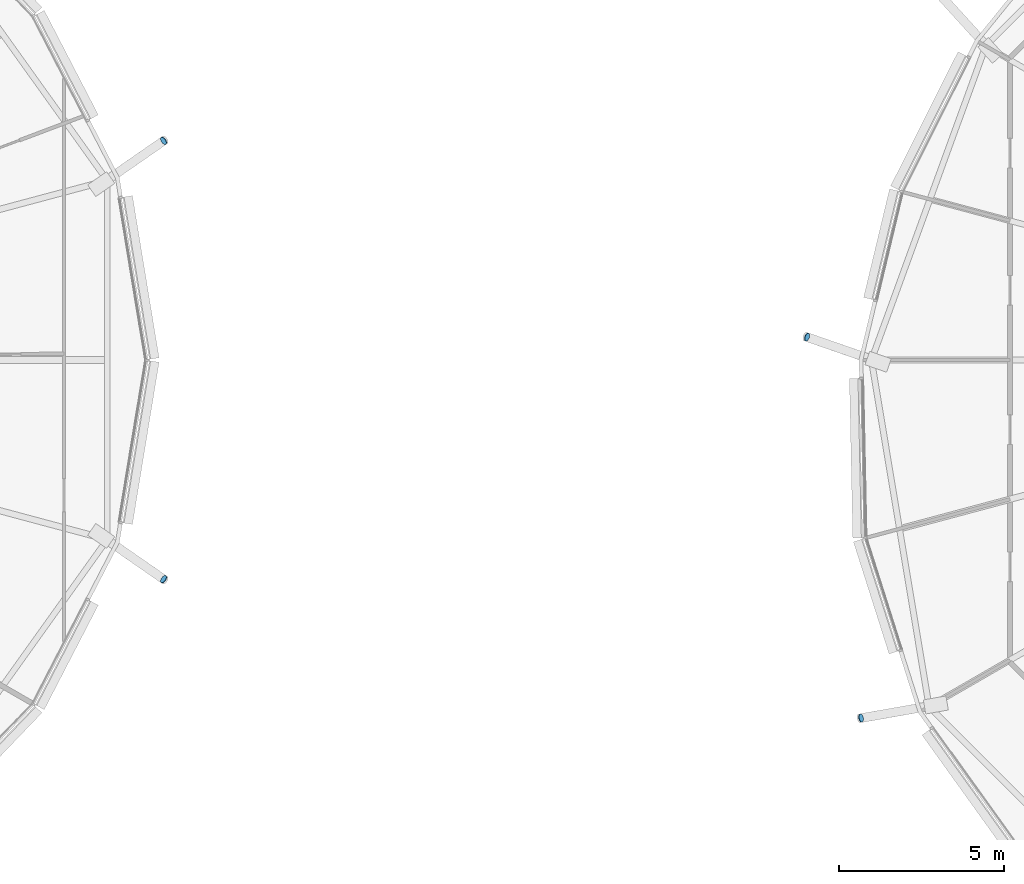
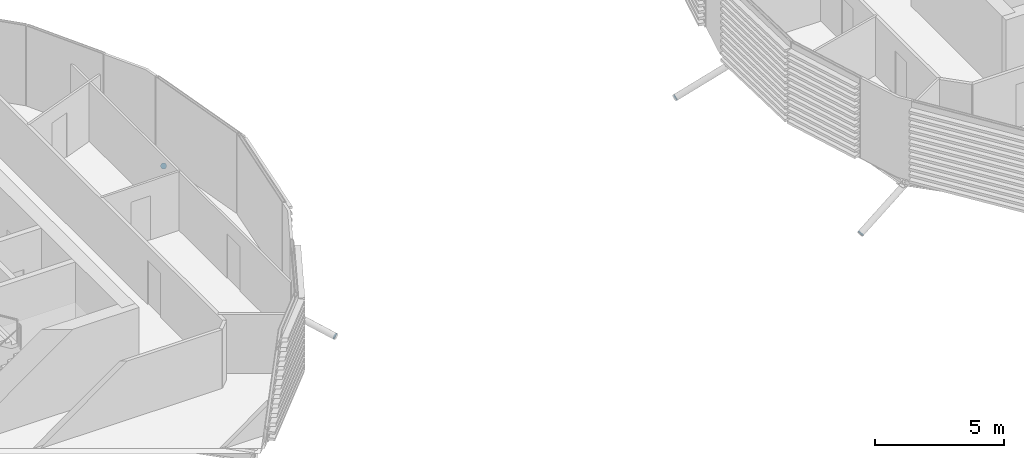
# One storey, part 26 of 35: 4 discrete accessories.
"""IFC4 building model written with IfcOpenShell, lengths in metres."""

import ifcopenshell
import ifcopenshell.guid

model = None  # the IFC model being written
_history = None  # IfcOwnerHistory: only IFC2X3 demands one
_inside = {}  # id of a spatial element -> (the spatial element, [elements in it])
_under = {}  # id of a project, library or spatial element -> (it, [spatial elements below it])
_declared = {}  # id of a project -> (the project, [libraries it declares])
_typed = {}  # id of a type object -> (the type object, [elements of that type])
_made_of = {}  # id of a material, layer set ... -> (it, [elements and type objects made of it])


def new_model(schema):
    """Start an empty IFC model of exactly this schema.

    Asked for "IFC4X3", IfcOpenShell would pick the latest addendum, in which some entities
    have other attributes; the version numbers below select the first issue.
    IFC2X3 requires an IfcOwnerHistory on every rooted entity: one is made here for all.
    """
    global model, _history
    if schema == "IFC4X3":
        model = ifcopenshell.file(schema_version=(4, 3, 0, 0))
    else:
        model = ifcopenshell.file(schema=schema)
    _inside.clear()
    _under.clear()
    _declared.clear()
    _typed.clear()
    _made_of.clear()
    _history = None
    if model.schema == "IFC2X3":
        org = make("IfcOrganization", Name="unknown")
        user = make(
            "IfcPersonAndOrganization",
            ThePerson=make("IfcPerson", FamilyName="unknown"),
            TheOrganization=org,
        )
        app = make(
            "IfcApplication",
            ApplicationDeveloper=org,
            Version="unknown",
            ApplicationFullName="unknown",
            ApplicationIdentifier="unknown",
        )
        _history = make(
            "IfcOwnerHistory",
            OwningUser=user,
            OwningApplication=app,
            ChangeAction="ADDED",
            CreationDate=0,
        )
    return model


def make(cls, **values):
    """One entity of the class cls with the attributes given. An attribute that is None is left unset."""
    return model.create_entity(
        cls, **{name: value for name, value in values.items() if value is not None}
    )


def rooted(cls, **values):
    """An entity with a GlobalId (a new one), such as an element, a storey or a relation."""
    return make(cls, GlobalId=ifcopenshell.guid.new(), OwnerHistory=_history, **values)


def si_unit(unit_type, name, prefix=None):
    """IfcSIUnit, for example si_unit("LENGTHUNIT", "METRE", prefix="MILLI")."""
    return make("IfcSIUnit", UnitType=unit_type, Prefix=prefix, Name=name)


def assignment(units):
    """IfcUnitAssignment: the units of a project."""
    return None if units is None else make("IfcUnitAssignment", Units=units)


def point(xyz):
    """IfcCartesianPoint."""
    return None if xyz is None else make("IfcCartesianPoint", Coordinates=xyz)


def direction(xyz):
    """IfcDirection."""
    return None if xyz is None else make("IfcDirection", DirectionRatios=xyz)


def frame(location, z_axis=None, x_axis=None):
    """IfcAxis2Placement3D, a coordinate frame: its origin and axes. An axis left out is left unset."""
    return make(
        "IfcAxis2Placement3D",
        Location=point(location),
        Axis=direction(z_axis),
        RefDirection=direction(x_axis),
    )


def frame_2d(location, x_axis=None):
    """IfcAxis2Placement2D, a coordinate frame in the plane: its origin and x axis."""
    return make(
        "IfcAxis2Placement2D", Location=point(location), RefDirection=direction(x_axis)
    )


def origin():
    """The frame at (0, 0, 0) with its axes left unset."""
    return frame((0.0, 0.0, 0.0))


def origin_2d():
    """The frame at (0, 0) in the plane with its x axis left unset."""
    return frame_2d((0.0, 0.0))


def place(relative_to, where):
    """IfcLocalPlacement: puts the frame where relative to a parent placement (None: the world)."""
    return make(
        "IfcLocalPlacement", PlacementRelTo=relative_to, RelativePlacement=where
    )


def context(
    kind, dimensions, precision=None, world=None, true_north=None, identifier=None
):
    """IfcGeometricRepresentationContext, for example the 3D "Model" context."""
    return make(
        "IfcGeometricRepresentationContext",
        ContextIdentifier=identifier,
        ContextType=kind,
        CoordinateSpaceDimension=dimensions,
        Precision=precision,
        WorldCoordinateSystem=world,
        TrueNorth=true_north,
    )


def subcontext(parent, identifier, kind, view, scale=None):
    """IfcGeometricRepresentationSubContext, for example "Body" below "Model"."""
    return make(
        "IfcGeometricRepresentationSubContext",
        ContextIdentifier=identifier,
        ContextType=kind,
        ParentContext=parent,
        TargetScale=scale,
        TargetView=view,
    )


def project(units=None, contexts=None):
    """IfcProject with its units and contexts."""
    return rooted(
        "IfcProject",
        Name="project",
        RepresentationContexts=contexts,
        UnitsInContext=assignment(units),
    )


def spatial(cls, under=None, at=None, **own):
    """A site, building, storey or space (cls), placed at a placement, below another one or the project."""
    s = rooted(cls, ObjectPlacement=at, **own)
    if under is not None:
        _under.setdefault(under.id(), (under, []))[1].append(s)
    return s


def profile(cls, at=None, kind="AREA", **sizes):
    """A parametric profile (cls). Its sizes go by their IFC names, for example OverallWidth=200.0."""
    return make(cls, ProfileType=kind, Position=at, **sizes)


def circle(**sizes):
    """IfcCircleProfileDef."""
    return profile("IfcCircleProfileDef", **sizes)


def extrude(swept, where, along, depth):
    """IfcExtrudedAreaSolid: the profile swept, set in the frame where, extruded along a direction by depth."""
    return make(
        "IfcExtrudedAreaSolid",
        SweptArea=swept,
        Position=where,
        ExtrudedDirection=direction(along),
        Depth=depth,
    )


def shape(context_of_items, identifier, shape_type, items):
    """IfcShapeRepresentation: the items that make up one representation, for example the "Body"."""
    return make(
        "IfcShapeRepresentation",
        ContextOfItems=context_of_items,
        RepresentationIdentifier=identifier,
        RepresentationType=shape_type,
        Items=items,
    )


def material(Name=None, Category=None):
    """IfcMaterial."""
    return make("IfcMaterial", Name=Name, Category=Category)


def material_profile(
    of_material, cross_section, Name=None, Category=None, Priority=None
):
    """IfcMaterialProfile: a cross section and its material."""
    return make(
        "IfcMaterialProfile",
        Name=Name,
        Material=of_material,
        Profile=cross_section,
        Priority=Priority,
        Category=Category,
    )


def profile_set(profiles, Name=None, composite=None):
    """IfcMaterialProfileSet."""
    return make(
        "IfcMaterialProfileSet",
        Name=Name,
        MaterialProfiles=profiles,
        CompositeProfile=composite,
    )


def made_of(thing, what):
    """Note that an element or type object is made of a material, layer set ...; save() writes the relation."""
    if what is not None:
        _made_of.setdefault(what.id(), (what, []))[1].append(thing)
    return thing


def type_object(cls, material=None, **own):
    """A type object (cls), such as IfcWallType, which elements share."""
    return made_of(rooted(cls, **own), material)


def element(
    cls,
    number,
    at=None,
    inside=None,
    cuts=None,
    type_object=None,
    material=None,
    context=None,
    identifier="Body",
    shape_type=None,
    held_by="IfcProductDefinitionShape",
    body=None,
    shapes=None,
    **own,
):
    """One element of the class cls, such as IfcWall. Its Tag is "e" and its number.

    at: its placement. inside: the storey or other place that contains it. cuts: it is an
    opening in that element (IfcRelVoidsElement). A single representation is given by context,
    identifier, shape_type and body (its items); several are given by shapes. held_by: the class
    of the entity that holds the representations. save() writes the other relations.
    """
    e = rooted(cls, Tag="e%d" % number, ObjectPlacement=at, **own)
    if body is not None:
        shapes = [shape(context, identifier, shape_type, body)]
    if shapes is not None:
        e.Representation = make(held_by, Representations=shapes)
    if inside is not None:
        _inside.setdefault(inside.id(), (inside, []))[1].append(e)
    if cuts is not None:
        rooted(
            "IfcRelVoidsElement", RelatingBuildingElement=cuts, RelatedOpeningElement=e
        )
    if type_object is not None:
        _typed.setdefault(type_object.id(), (type_object, []))[1].append(e)
    return made_of(e, material)


def aggregate(whole, parts):
    """IfcRelAggregates: a whole, such as a stair, and the parts it consists of."""
    return rooted("IfcRelAggregates", RelatingObject=whole, RelatedObjects=parts)


def save(model, path):
    """Write the relations noted so far, then the file.

    IfcRelAggregates (storeys below a building ...), IfcRelContainedInSpatialStructure (elements
    in a storey), IfcRelDefinesByType, IfcRelAssociatesMaterial and IfcRelDeclares: one each for
    every whole, place, type object, material and project.
    """
    for whole, parts in _under.values():
        aggregate(whole, parts)
    for where, things in _inside.values():
        rooted(
            "IfcRelContainedInSpatialStructure",
            RelatedElements=things,
            RelatingStructure=where,
        )
    for kind, things in _typed.values():
        rooted("IfcRelDefinesByType", RelatedObjects=things, RelatingType=kind)
    for what, things in _made_of.values():
        rooted("IfcRelAssociatesMaterial", RelatedObjects=things, RelatingMaterial=what)
    for by, libraries in _declared.values():
        rooted("IfcRelDeclares", RelatingContext=by, RelatedDefinitions=libraries)
    model.write(path)


model = new_model("IFC4")

# Units and contexts
model_context = context("Model", 3, precision=1e-05, world=origin(), true_north=direction((0.0, 1.0)))
body_context = subcontext(model_context, "Body", "Model", "MODEL_VIEW")
ifc_project = project(units=[si_unit("LENGTHUNIT", "METRE"), si_unit("AREAUNIT", "SQUARE_METRE"), si_unit("VOLUMEUNIT", "CUBIC_METRE"), si_unit("PLANEANGLEUNIT", "RADIAN"), si_unit("MASSUNIT", "GRAM", prefix="KILO")], contexts=[model_context])

# Site, building, storey
site_placement = place(None, origin())
site = spatial("IfcSite", under=ifc_project, at=site_placement, CompositionType="ELEMENT")
building_placement = place(site_placement, origin())
building = spatial("IfcBuilding", under=site, at=building_placement, Name="Rimbun Link Towers", CompositionType="ELEMENT")
storey_placement = place(building_placement, frame((0.0, 0.0, 196.89990234375)))
storey = spatial("IfcBuildingStorey", under=building, at=storey_placement, Name="L48", CompositionType="ELEMENT", Elevation=196.89990234375)

# Discrete accessories
ifc_material = material(Name="Steel S355J2H", Category="steel")
ifc_material_profile = material_profile(ifc_material, circle(Radius=0.1240234375, at=origin_2d()), Name="PL D248")
ifc_profile_set = profile_set([ifc_material_profile], Name="Steel S355J2H")
discrete_accessory_type = type_object("IfcDiscreteAccessoryType", Name="Link foot sealing plate D248X20", PredefinedType="BRACKET", material=ifc_profile_set)
for number, where, z_axis, x_axis, name in (
    (1, (-9.71630859375, 6.64990234375, -1.96484375), (0.707106781187, 0.487659849094, -0.512042841549), (-0.567732955804, 0.823212785915, 0.0), "Link foot sealing plate T1 L48 01"),
    (2, (-9.71630859375, -6.64990234375, -1.96484375), (0.707106781187, -0.487659849094, -0.512042841549), (0.567732955804, 0.823212785915, 0.0), "Link foot sealing plate T1 L48 23"),
    (3, (9.823974609375, 0.693359375, -1.935302734375), (-0.813571843659, 0.279285856779, -0.510000260204), (-0.324685211011, -0.945822136424, 0.0), "Link foot sealing plate T2 L48 09"),
):
    element("IfcDiscreteAccessory", number, at=place(storey_placement, frame(where, z_axis=z_axis, x_axis=x_axis)), inside=storey, type_object=discrete_accessory_type, Name=name, PredefinedType="BRACKET", context=body_context, shape_type="SweptSolid", body=[
        extrude(circle(Radius=0.1240234375, at=origin_2d()), origin(), (0.0, 0.0, 1.0), 0.02001953125),
    ])
discrete_accessory_placement = place(storey_placement, frame((11.463134765625, -10.867919921875, -1.93896484375), z_axis=(-0.846822384929, -0.157267014344, -0.508093430958), x_axis=(0.182592193843, -0.983188736076, 0.0)))
element("IfcDiscreteAccessory", 4, at=discrete_accessory_placement, inside=storey, type_object=discrete_accessory_type, Name="Link foot sealing plate T2 L48 11", PredefinedType="BRACKET", context=body_context, shape_type="SweptSolid", body=[
    extrude(circle(Radius=0.1240234375, at=origin_2d()), origin(), (0.0, 0.0, 1.0), 0.020263671875),
])

save(model, "model.ifc")
